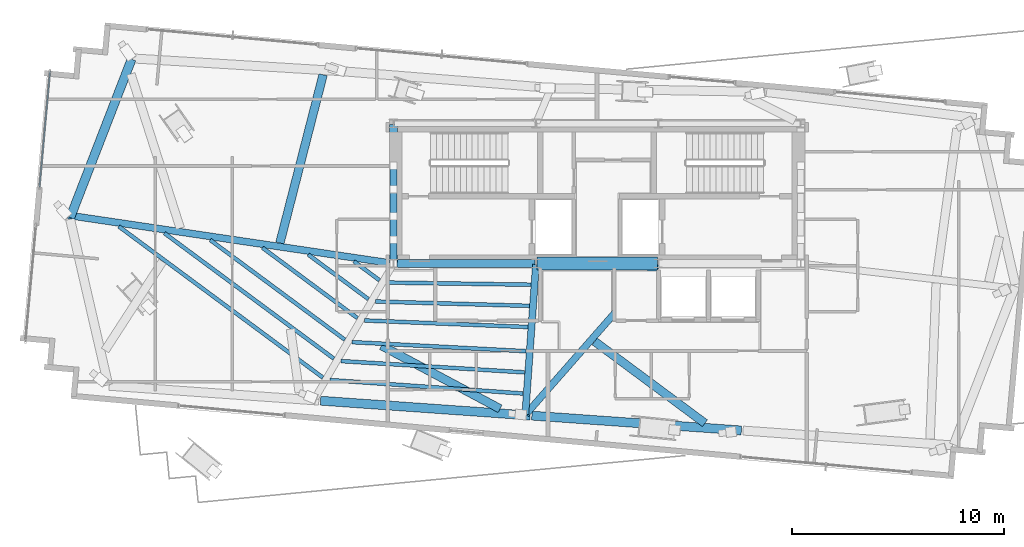
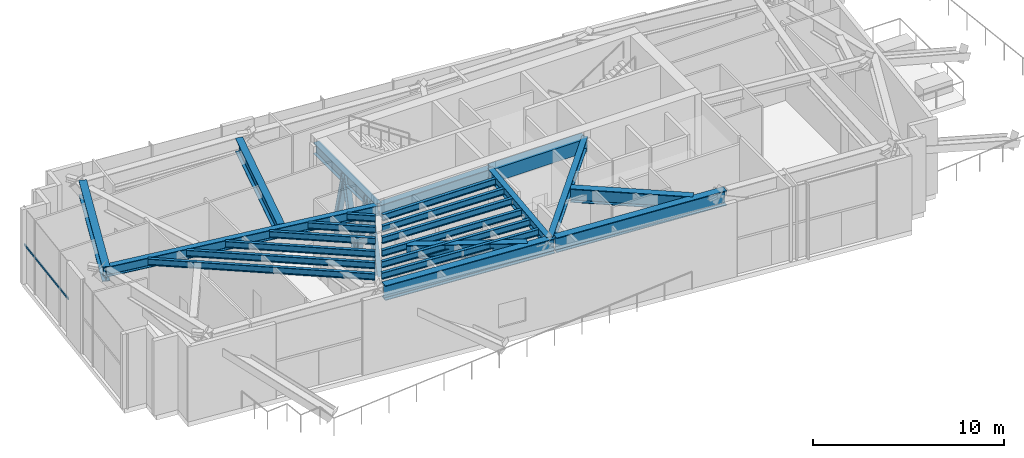
# One storey, part 5 of 20: 24 beams, 5 members, 1 element without a shape of its own.
"""IFC4 building model written with IfcOpenShell, lengths in metres."""

from ifc_helpers import new_model, si_unit, direction, frame, origin, origin_2d, place, context, subcontext, project, spatial, rectangle, hollow_rectangle, i_section, extrude, source, transform, mapped, material, material_profile, profile_set, type_object, type_shapes, element, aggregate, save


model = new_model("IFC4")

# Units and contexts
model_context = context("Model", 3, precision=1e-05, world=origin(), true_north=direction((0.0, 1.0)))
body_context = subcontext(model_context, "Body", "Model", "MODEL_VIEW")
ifc_project = project(units=[si_unit("LENGTHUNIT", "METRE"), si_unit("AREAUNIT", "SQUARE_METRE"), si_unit("VOLUMEUNIT", "CUBIC_METRE"), si_unit("PLANEANGLEUNIT", "RADIAN"), si_unit("MASSUNIT", "GRAM", prefix="KILO")], contexts=[model_context])

# Site, building, storey
site_placement = place(None, origin())
site = spatial("IfcSite", under=ifc_project, at=site_placement, CompositionType="ELEMENT")
building_placement = place(site_placement, origin())
building = spatial("IfcBuilding", under=site, at=building_placement, Name="Astriad Promenade Condominiums", CompositionType="ELEMENT")
storey_placement = place(building_placement, frame((0.0, 0.0, 211.39990234375)))
storey = spatial("IfcBuildingStorey", under=building, at=storey_placement, Name="L61", CompositionType="ELEMENT", Elevation=211.39990234375)

# Beams
ifc_material_1 = material(Name="Steel ASTM A992 Grade 50", Category="steel")
ifc_material_profile_1 = material_profile(ifc_material_1, i_section(OverallWidth=0.3837890625, OverallDepth=0.785888671875, WebThickness=0.019775390625, FlangeThickness=0.033447265625, FilletRadius=0.021484375, at=origin_2d()), Name="W30X211")
ifc_profile_set_1 = profile_set([ifc_material_profile_1], Name="Steel ASTM A992 Grade 50")
beam_type_1 = type_object("IfcBeamType", Name="STEEL FLOOR GIRDER W30X211", PredefinedType="BEAM", material=ifc_profile_set_1)
shared_shape_1 = source(origin(), body_context, "Body", "SweptSolid", [
    extrude(i_section(OverallWidth=0.3837890625, OverallDepth=0.785888671875, WebThickness=0.019775390625, FlangeThickness=0.033447265625, FilletRadius=0.021484375, at=origin_2d()), origin(), (0.0, 0.0, 1.0), 6.64013671875),
])
type_shapes(beam_type_1, [shared_shape_1])
beam_1_placement = place(storey_placement, frame((26.43994140625, 17.39990234375, 4.38720703125), z_axis=(1.0, 0.0, 0.0), x_axis=(0.0, 1.0, 0.0)))
element("IfcBeam", 1, at=beam_1_placement, inside=storey, type_object=beam_type_1, Name="Core Ring Beam CG-S1-L61", PredefinedType="BEAM", context=body_context, shape_type="MappedRepresentation", body=[
    mapped(shared_shape_1, transform((0.0, 0.0, 0.0), scale=1.0)),
])
ifc_material_profile_2 = material_profile(ifc_material_1, i_section(OverallWidth=0.35791015625, OverallDepth=0.706298828125, WebThickness=0.018310546875, FlangeThickness=0.0302734375, FilletRadius=0.020263671875, at=origin_2d()), Name="W27X178")
ifc_profile_set_2 = profile_set([ifc_material_profile_2], Name="Steel ASTM A992 Grade 50")
beam_type_2 = type_object("IfcBeamType", Name="STEEL FLOOR GIRDER W27X178", PredefinedType="BEAM", material=ifc_profile_set_2)
shared_shape_2 = source(origin(), body_context, "Body", "SweptSolid", [
    extrude(i_section(OverallWidth=0.35791015625, OverallDepth=0.706298828125, WebThickness=0.018310546875, FlangeThickness=0.0302734375, FilletRadius=0.020263671875, at=origin_2d()), origin(), (0.0, 0.0, 1.0), 6.52001953125),
])
type_shapes(beam_type_2, [shared_shape_2])
beam_2_placement = place(storey_placement, frame((26.39990234375, 17.43994140625, 4.427001953125), z_axis=(0.0, 1.0, 0.0), x_axis=(-1.0, 0.0, 0.0)))
element("IfcBeam", 2, at=beam_2_placement, inside=storey, type_object=beam_type_2, Name="Core Ring Beam CG-W1-L61", PredefinedType="BEAM", context=body_context, shape_type="MappedRepresentation", body=[
    mapped(shared_shape_2, transform((0.0, 0.0, 0.0), scale=1.0)),
])
ifc_material_2 = material(Name="Concrete C60/75", Category="concrete")
ifc_material_profile_3 = material_profile(ifc_material_2, rectangle(XDim=0.60009765625, YDim=0.85009765625, at=origin_2d()), Name="RC-BM-600X850")
ifc_profile_set_3 = profile_set([ifc_material_profile_3], Name="Concrete C60/75")
beam_type_3 = type_object("IfcBeamType", Name="CONCRETE CORE COUPLING LINTEL 600X850", PredefinedType="LINTEL", material=ifc_profile_set_3)
shared_shape_3 = source(origin(), body_context, "Body", "SweptSolid", [
    extrude(rectangle(XDim=0.60009765625, YDim=0.85009765625, at=origin_2d()), origin(), (0.0, 0.0, 1.0), 5.68017578125),
])
type_shapes(beam_type_3, [shared_shape_3])
beam_3_placement = place(storey_placement, frame((33.159912109375, 17.39990234375, 4.35498046875), z_axis=(1.0, 0.0, 0.0), x_axis=(0.0, 1.0, 0.0)))
element("IfcBeam", 3, at=beam_3_placement, inside=storey, type_object=beam_type_3, Name="Core Ring Beam CG-S2-L61", PredefinedType="LINTEL", context=body_context, shape_type="MappedRepresentation", body=[
    mapped(shared_shape_3, transform((0.0, 0.0, 0.0), scale=1.0)),
])
ifc_material_profile_4 = material_profile(ifc_material_1, i_section(OverallWidth=0.423095703125, OverallDepth=0.9482421875, WebThickness=0.02392578125, FlangeThickness=0.042724609375, FilletRadius=0.024169921875, at=origin_2d()), Name="W36X302")
ifc_profile_set_4 = profile_set([ifc_material_profile_4], Name="Steel ASTM A992 Grade 50")
beam_type_4 = type_object("IfcBeamType", Name="STEEL PERIMETER RING GIRDER W36X302", PredefinedType="BEAM", material=ifc_profile_set_4)
shared_shape_4 = source(origin(), body_context, "Body", "SweptSolid", [
    extrude(i_section(OverallWidth=0.423095703125, OverallDepth=0.9482421875, WebThickness=0.02392578125, FlangeThickness=0.042724609375, FilletRadius=0.024169921875, at=origin_2d()), origin(), (0.0, 0.0, 1.0), 9.9072265625),
])
for number, where, z_axis, x_axis, name in (
    (4, (22.958251953125, 10.934326171875, 4.305908203125), (0.997511585316, -0.070502745759, 0.0), (0.070502745759, 0.997511585316, 0.0), "Perimeter Spandrel Beam SP-S2-L61"),
    (5, (32.920654296875, 10.230224609375, 4.305908203125), (0.997509851964, -0.070527265899, 0.0), (0.070527265899, 0.997509851964, 0.0), "Perimeter Spandrel Beam SP-S3-L61"),
):
    element("IfcBeam", number, at=place(storey_placement, frame(where, z_axis=z_axis, x_axis=x_axis)), inside=storey, type_object=beam_type_4, Name=name, PredefinedType="BEAM", context=body_context, shape_type="MappedRepresentation", body=[
        mapped(shared_shape_4, transform((0.0, 0.0, 0.0), scale=1.0)),
    ])
shared_shape_5 = source(origin(), body_context, "Body", "SweptSolid", [
    extrude(i_section(OverallWidth=0.423095703125, OverallDepth=0.9482421875, WebThickness=0.02392578125, FlangeThickness=0.042724609375, FilletRadius=0.024169921875, at=origin_2d()), origin(), (0.0, 0.0, 1.0), 8.0126953125),
])
type_shapes(beam_type_4, [shared_shape_4, shared_shape_5])
beam_4_placement = place(storey_placement, frame((14.04931640625, 27.0390625, 4.305908203125), z_axis=(-0.361303517183, -0.932448265842, 0.0), x_axis=(0.932448265842, -0.361303517183, 0.0)))
element("IfcBeam", 6, at=beam_4_placement, inside=storey, type_object=beam_type_4, Name="Perimeter Spandrel Beam SP-W2-L61", PredefinedType="BEAM", context=body_context, shape_type="MappedRepresentation", body=[
    mapped(shared_shape_5, transform((0.0, 0.0, 0.0), scale=1.0)),
])
ifc_material_profile_5 = material_profile(ifc_material_1, i_section(OverallWidth=0.327392578125, OverallDepth=0.640625, WebThickness=0.01904296875, FlangeThickness=0.033935546875, FilletRadius=0.017822265625, at=origin_2d()), Name="W24X176")
ifc_profile_set_5 = profile_set([ifc_material_profile_5], Name="Steel ASTM A992 Grade 50")
beam_type_5 = type_object("IfcBeamType", Name="STEEL FLOOR GIRDER W24X176", PredefinedType="BEAM", material=ifc_profile_set_5)
shared_shape_6 = source(origin(), body_context, "Body", "SweptSolid", [
    extrude(i_section(OverallWidth=0.327392578125, OverallDepth=0.640625, WebThickness=0.01904296875, FlangeThickness=0.033935546875, FilletRadius=0.017822265625, at=origin_2d()), origin(), (0.0, 0.0, 1.0), 15.488037109375),
])
type_shapes(beam_type_5, [shared_shape_6])
beam_5_placement = place(storey_placement, frame((11.040283203125, 19.68017578125, 4.459716796875), z_axis=(0.989161018806, -0.146834869407, 0.0), x_axis=(0.146834869407, 0.989161018806, 0.0)))
element("IfcBeam", 7, at=beam_5_placement, inside=storey, type_object=beam_type_5, Name="Primary Floor Girder PG-WM-L61", PredefinedType="BEAM", context=body_context, shape_type="MappedRepresentation", body=[
    mapped(shared_shape_6, transform((0.0, 0.0, 0.0), scale=1.0)),
])
ifc_material_profile_6 = material_profile(ifc_material_1, i_section(OverallWidth=0.326416015625, OverallDepth=0.621826171875, WebThickness=0.015380859375, FlangeThickness=0.0244140625, FilletRadius=0.017822265625, at=origin_2d()), Name="W24X131")
ifc_profile_set_6 = profile_set([ifc_material_profile_6], Name="Steel ASTM A992 Grade 50")
beam_type_6 = type_object("IfcBeamType", Name="STEEL FLOOR GIRDER W24X131", PredefinedType="BEAM", material=ifc_profile_set_6)
shared_shape_7 = source(origin(), body_context, "Body", "SweptSolid", [
    extrude(i_section(OverallWidth=0.326416015625, OverallDepth=0.621826171875, WebThickness=0.015380859375, FlangeThickness=0.0244140625, FilletRadius=0.017822265625, at=origin_2d()), origin(), (0.0, 0.0, 1.0), 7.077880859375),
])
beam_6_placement = place(storey_placement, frame((32.614990234375, 10.300048828125, 4.46923828125), z_axis=(0.070952890116, 0.997479667655, 0.0), x_axis=(-0.997479667655, 0.070952890116, 0.0)))
element("IfcBeam", 8, at=beam_6_placement, inside=storey, type_object=beam_type_6, Name="Primary Floor Girder PG-C1-L61", PredefinedType="BEAM", context=body_context, shape_type="MappedRepresentation", body=[
    mapped(shared_shape_7, transform((0.0, 0.0, 0.0), scale=1.0)),
])
shared_shape_8 = source(origin(), body_context, "Body", "SweptSolid", [
    extrude(i_section(OverallWidth=0.326416015625, OverallDepth=0.621826171875, WebThickness=0.015380859375, FlangeThickness=0.0244140625, FilletRadius=0.017822265625, at=origin_2d()), origin(), (0.0, 0.0, 1.0), 9.420654296875),
])
type_shapes(beam_type_6, [shared_shape_7, shared_shape_8])
beam_7_placement = place(storey_placement, frame((32.638427734375, 10.290283203125, 4.46923828125), z_axis=(0.659732999545, 0.751500079382, 0.0), x_axis=(-0.751500079382, 0.659732999545, 0.0)))
element("IfcBeam", 9, at=beam_7_placement, inside=storey, type_object=beam_type_6, Name="Primary Floor Girder PG-C2-L61", PredefinedType="BEAM", context=body_context, shape_type="MappedRepresentation", body=[
    mapped(shared_shape_8, transform((0.0, 0.0, 0.0), scale=1.0)),
])
ifc_material_profile_7 = material_profile(ifc_material_1, i_section(OverallWidth=0.180908203125, OverallDepth=0.417236328125, WebThickness=0.010986328125, FlangeThickness=0.018310546875, FilletRadius=0.013916015625, at=origin_2d()), Name="W16X57")
ifc_profile_set_7 = profile_set([ifc_material_profile_7], Name="Steel ASTM A992 Grade 50")
beam_type_7 = type_object("IfcBeamType", Name="STEEL FLOOR JOIST W16X57", PredefinedType="JOIST", material=ifc_profile_set_7)
shared_shape_9 = source(origin(), body_context, "Body", "SweptSolid", [
    extrude(i_section(OverallWidth=0.180908203125, OverallDepth=0.417236328125, WebThickness=0.010986328125, FlangeThickness=0.018310546875, FilletRadius=0.013916015625, at=origin_2d()), origin(), (0.0, 0.0, 1.0), 11.97314453125),
])
beam_8_placement = place(storey_placement, frame((13.444091796875, 19.153076171875, 4.571533203125), z_axis=(0.80354852414, -0.595239253874, 0.0), x_axis=(0.595239253874, 0.80354852414, 0.0)))
element("IfcBeam", 10, at=beam_8_placement, inside=storey, type_object=beam_type_7, Name="Secondary Composite Floor Joist JW1-1-L61", PredefinedType="JOIST", context=body_context, shape_type="MappedRepresentation", body=[
    mapped(shared_shape_9, transform((0.0, 0.0, 0.0), scale=1.0)),
])
shared_shape_10 = source(origin(), body_context, "Body", "SweptSolid", [
    extrude(i_section(OverallWidth=0.180908203125, OverallDepth=0.417236328125, WebThickness=0.010986328125, FlangeThickness=0.018310546875, FilletRadius=0.013916015625, at=origin_2d()), origin(), (0.0, 0.0, 1.0), 9.9375),
])
beam_9_placement = place(storey_placement, frame((15.60009765625, 18.8330078125, 4.571533203125), z_axis=(0.803538478782, -0.595252814456, 0.0), x_axis=(0.595252814456, 0.803538478782, 0.0)))
element("IfcBeam", 11, at=beam_9_placement, inside=storey, type_object=beam_type_7, Name="Secondary Composite Floor Joist JW1-2-L61", PredefinedType="JOIST", context=body_context, shape_type="MappedRepresentation", body=[
    mapped(shared_shape_10, transform((0.0, 0.0, 0.0), scale=1.0)),
])
shared_shape_11 = source(origin(), body_context, "Body", "SweptSolid", [
    extrude(i_section(OverallWidth=0.180908203125, OverallDepth=0.417236328125, WebThickness=0.010986328125, FlangeThickness=0.018310546875, FilletRadius=0.013916015625, at=origin_2d()), origin(), (0.0, 0.0, 1.0), 7.90185546875),
])
beam_10_placement = place(storey_placement, frame((17.755859375, 18.512939453125, 4.571533203125), z_axis=(0.803559929974, -0.595223856158, 0.0), x_axis=(0.595223856158, 0.803559929974, 0.0)))
element("IfcBeam", 12, at=beam_10_placement, inside=storey, type_object=beam_type_7, Name="Secondary Composite Floor Joist JW1-3-L61", PredefinedType="JOIST", context=body_context, shape_type="MappedRepresentation", body=[
    mapped(shared_shape_11, transform((0.0, 0.0, 0.0), scale=1.0)),
])
shared_shape_12 = source(origin(), body_context, "Body", "SweptSolid", [
    extrude(i_section(OverallWidth=0.180908203125, OverallDepth=0.417236328125, WebThickness=0.010986328125, FlangeThickness=0.018310546875, FilletRadius=0.013916015625, at=origin_2d()), origin(), (0.0, 0.0, 1.0), 5.5751953125),
])
beam_11_placement = place(storey_placement, frame((20.2197265625, 18.147216796875, 4.571533203125), z_axis=(0.803548660201, -0.595239070197, 0.0), x_axis=(0.595239070197, 0.803548660201, 0.0)))
element("IfcBeam", 13, at=beam_11_placement, inside=storey, type_object=beam_type_7, Name="Secondary Composite Floor Joist JW1-4-L61", PredefinedType="JOIST", context=body_context, shape_type="MappedRepresentation", body=[
    mapped(shared_shape_12, transform((0.0, 0.0, 0.0), scale=1.0)),
])
shared_shape_13 = source(origin(), body_context, "Body", "SweptSolid", [
    extrude(i_section(OverallWidth=0.180908203125, OverallDepth=0.417236328125, WebThickness=0.010986328125, FlangeThickness=0.018310546875, FilletRadius=0.013916015625, at=origin_2d()), origin(), (0.0, 0.0, 1.0), 3.53955078125),
])
beam_12_placement = place(storey_placement, frame((22.375732421875, 17.8271484375, 4.571533203125), z_axis=(0.803544974607, -0.595244045567, 0.0), x_axis=(0.595244045567, 0.803544974607, 0.0)))
element("IfcBeam", 14, at=beam_12_placement, inside=storey, type_object=beam_type_7, Name="Secondary Composite Floor Joist JW1-5-L61", PredefinedType="JOIST", context=body_context, shape_type="MappedRepresentation", body=[
    mapped(shared_shape_13, transform((0.0, 0.0, 0.0), scale=1.0)),
])
shared_shape_14 = source(origin(), body_context, "Body", "SweptSolid", [
    extrude(i_section(OverallWidth=0.180908203125, OverallDepth=0.417236328125, WebThickness=0.010986328125, FlangeThickness=0.018310546875, FilletRadius=0.013916015625, at=origin_2d()), origin(), (0.0, 0.0, 1.0), 1.50390625),
])
beam_13_placement = place(storey_placement, frame((24.531494140625, 17.507080078125, 4.571533203125), z_axis=(0.803608956725, -0.595157663708, 0.0), x_axis=(0.595157663708, 0.803608956725, 0.0)))
element("IfcBeam", 15, at=beam_13_placement, inside=storey, type_object=beam_type_7, Name="Secondary Composite Floor Joist JW1-6-L61", PredefinedType="JOIST", context=body_context, shape_type="MappedRepresentation", body=[
    mapped(shared_shape_14, transform((0.0, 0.0, 0.0), scale=1.0)),
])
shared_shape_15 = source(origin(), body_context, "Body", "SweptSolid", [
    extrude(i_section(OverallWidth=0.180908203125, OverallDepth=0.417236328125, WebThickness=0.010986328125, FlangeThickness=0.018310546875, FilletRadius=0.013916015625, at=origin_2d()), origin(), (0.0, 0.0, 1.0), 9.1357421875),
])
beam_14_placement = place(storey_placement, frame((23.396728515625, 11.908935546875, 4.571533203125), z_axis=(0.997564604321, -0.069748549848, 0.0), x_axis=(0.069748549848, 0.997564604321, 0.0)))
element("IfcBeam", 16, at=beam_14_placement, inside=storey, type_object=beam_type_7, Name="Secondary Composite Floor Joist JCW-1-L61", PredefinedType="JOIST", context=body_context, shape_type="MappedRepresentation", body=[
    mapped(shared_shape_15, transform((0.0, 0.0, 0.0), scale=1.0)),
])
shared_shape_16 = source(origin(), body_context, "Body", "SweptSolid", [
    extrude(i_section(OverallWidth=0.180908203125, OverallDepth=0.417236328125, WebThickness=0.010986328125, FlangeThickness=0.018310546875, FilletRadius=0.013916015625, at=origin_2d()), origin(), (0.0, 0.0, 1.0), 8.679931640625),
])
beam_15_placement = place(storey_placement, frame((23.917724609375, 12.80224609375, 4.571533203125), z_axis=(0.998118337394, -0.061317082103, 0.0), x_axis=(0.061317082103, 0.998118337394, 0.0)))
element("IfcBeam", 17, at=beam_15_placement, inside=storey, type_object=beam_type_7, Name="Secondary Composite Floor Joist JCW-2-L61", PredefinedType="JOIST", context=body_context, shape_type="MappedRepresentation", body=[
    mapped(shared_shape_16, transform((0.0, 0.0, 0.0), scale=1.0)),
])
shared_shape_17 = source(origin(), body_context, "Body", "SweptSolid", [
    extrude(i_section(OverallWidth=0.180908203125, OverallDepth=0.417236328125, WebThickness=0.010986328125, FlangeThickness=0.018310546875, FilletRadius=0.013916015625, at=origin_2d()), origin(), (0.0, 0.0, 1.0), 8.224853515625),
])
beam_16_placement = place(storey_placement, frame((24.438720703125, 13.69580078125, 4.571533203125), z_axis=(0.998645243752, -0.052035345014, 0.0), x_axis=(0.052035345014, 0.998645243752, 0.0)))
element("IfcBeam", 18, at=beam_16_placement, inside=storey, type_object=beam_type_7, Name="Secondary Composite Floor Joist JCW-3-L61", PredefinedType="JOIST", context=body_context, shape_type="MappedRepresentation", body=[
    mapped(shared_shape_17, transform((0.0, 0.0, 0.0), scale=1.0)),
])
shared_shape_18 = source(origin(), body_context, "Body", "SweptSolid", [
    extrude(i_section(OverallWidth=0.180908203125, OverallDepth=0.417236328125, WebThickness=0.010986328125, FlangeThickness=0.018310546875, FilletRadius=0.013916015625, at=origin_2d()), origin(), (0.0, 0.0, 1.0), 7.705078125),
])
beam_17_placement = place(storey_placement, frame((25.034423828125, 14.717041015625, 4.571533203125), z_axis=(0.999196396835, -0.040081923006, 0.0), x_axis=(0.040081923006, 0.999196396835, 0.0)))
element("IfcBeam", 19, at=beam_17_placement, inside=storey, type_object=beam_type_7, Name="Secondary Composite Floor Joist JCW-4-L61", PredefinedType="JOIST", context=body_context, shape_type="MappedRepresentation", body=[
    mapped(shared_shape_18, transform((0.0, 0.0, 0.0), scale=1.0)),
])
shared_shape_19 = source(origin(), body_context, "Body", "SweptSolid", [
    extrude(i_section(OverallWidth=0.180908203125, OverallDepth=0.417236328125, WebThickness=0.010986328125, FlangeThickness=0.018310546875, FilletRadius=0.013916015625, at=origin_2d()), origin(), (0.0, 0.0, 1.0), 7.251708984375),
])
beam_18_placement = place(storey_placement, frame((25.5556640625, 15.611083984375, 4.571533203125), z_axis=(0.999599086101, -0.028313725756, 0.0), x_axis=(0.028313725756, 0.999599086101, 0.0)))
element("IfcBeam", 20, at=beam_18_placement, inside=storey, type_object=beam_type_7, Name="Secondary Composite Floor Joist JCW-5-L61", PredefinedType="JOIST", context=body_context, shape_type="MappedRepresentation", body=[
    mapped(shared_shape_19, transform((0.0, 0.0, 0.0), scale=1.0)),
])
shared_shape_20 = source(origin(), body_context, "Body", "SweptSolid", [
    extrude(i_section(OverallWidth=0.180908203125, OverallDepth=0.417236328125, WebThickness=0.010986328125, FlangeThickness=0.018310546875, FilletRadius=0.013916015625, at=origin_2d()), origin(), (0.0, 0.0, 1.0), 6.798828125),
])
type_shapes(beam_type_7, [shared_shape_9, shared_shape_10, shared_shape_11, shared_shape_12, shared_shape_13, shared_shape_14, shared_shape_15, shared_shape_16, shared_shape_17, shared_shape_18, shared_shape_19, shared_shape_20])
beam_19_placement = place(storey_placement, frame((26.077392578125, 16.50537109375, 4.571533203125), z_axis=(0.999886804318, -0.015045881523, 0.0), x_axis=(0.015045881523, 0.999886804318, 0.0)))
element("IfcBeam", 21, at=beam_19_placement, inside=storey, type_object=beam_type_7, Name="Secondary Composite Floor Joist JCW-6-L61", PredefinedType="JOIST", context=body_context, shape_type="MappedRepresentation", body=[
    mapped(shared_shape_20, transform((0.0, 0.0, 0.0), scale=1.0)),
])
ifc_material_profile_8 = material_profile(ifc_material_1, i_section(OverallWidth=0.4013671875, OverallDepth=0.877197265625, WebThickness=0.022216796875, FlangeThickness=0.039794921875, FilletRadius=0.02294921875, at=origin_2d()), Name="W33X263")
ifc_profile_set_8 = profile_set([ifc_material_profile_8], Name="Steel ASTM A992 Grade 50")
beam_type_8 = type_object("IfcBeamType", Name="STEEL TRANSFER CARRIER GIRDER W33X263", PredefinedType="BEAM", material=ifc_profile_set_8)
shared_shape_21 = source(origin(), body_context, "Body", "SweptSolid", [
    extrude(i_section(OverallWidth=0.4013671875, OverallDepth=0.877197265625, WebThickness=0.022216796875, FlangeThickness=0.039794921875, FilletRadius=0.02294921875, at=origin_2d()), origin(), (0.0, 0.0, 1.0), 6.33349609375),
])
beam_20_placement = place(storey_placement, frame((25.833251953125, 13.5283203125, 4.341552734375), z_axis=(0.882701627818, -0.469933863694, 0.0), x_axis=(0.469933863694, 0.882701627818, 0.0)))
element("IfcBeam", 22, at=beam_20_placement, inside=storey, type_object=beam_type_8, Name="Transfer Splice Carrier TRM-SP-PC03-L61", PredefinedType="BEAM", context=body_context, shape_type="MappedRepresentation", body=[
    mapped(shared_shape_21, transform((0.0, 0.0, 0.0), scale=1.0)),
])
shared_shape_22 = source(origin(), body_context, "Body", "SweptSolid", [
    extrude(i_section(OverallWidth=0.4013671875, OverallDepth=0.877197265625, WebThickness=0.022216796875, FlangeThickness=0.039794921875, FilletRadius=0.02294921875, at=origin_2d()), origin(), (0.0, 0.0, 1.0), 6.47216796875),
])
beam_21_placement = place(storey_placement, frame((35.885498046875, 13.7265625, 4.341552734375), z_axis=(0.803144026709, -0.595784921227, 0.0), x_axis=(0.595784921227, 0.803144026709, 0.0)))
element("IfcBeam", 23, at=beam_21_placement, inside=storey, type_object=beam_type_8, Name="Transfer Splice Carrier TRM-SP-PC04-L61", PredefinedType="BEAM", context=body_context, shape_type="MappedRepresentation", body=[
    mapped(shared_shape_22, transform((0.0, 0.0, 0.0), scale=1.0)),
])
shared_shape_23 = source(origin(), body_context, "Body", "SweptSolid", [
    extrude(i_section(OverallWidth=0.4013671875, OverallDepth=0.877197265625, WebThickness=0.022216796875, FlangeThickness=0.039794921875, FilletRadius=0.02294921875, at=origin_2d()), origin(), (0.0, 0.0, 1.0), 8.1884765625),
])
type_shapes(beam_type_8, [shared_shape_21, shared_shape_22, shared_shape_23])
beam_22_placement = place(storey_placement, frame((21.041748046875, 18.37109375, 4.341552734375), z_axis=(0.248865250878, 0.968538118458, 0.0), x_axis=(-0.968538118458, 0.248865250878, 0.0)))
element("IfcBeam", 24, at=beam_22_placement, inside=storey, type_object=beam_type_8, Name="Transfer Splice Carrier TRM-SP-PC07-L61", PredefinedType="BEAM", context=body_context, shape_type="MappedRepresentation", body=[
    mapped(shared_shape_23, transform((0.0, 0.0, 0.0), scale=1.0)),
])

# Members
ifc_material_profile_9 = material_profile(ifc_material_1, i_section(OverallWidth=0.308837890625, OverallDepth=0.32275390625, WebThickness=0.013916015625, FlangeThickness=0.02294921875, FilletRadius=0.01513671875, at=origin_2d()), Name="W12X96")
ifc_profile_set_9 = profile_set([ifc_material_profile_9], Name="Steel ASTM A992 Grade 50")
member_type_1 = type_object("IfcMemberType", Name="STEEL TRANSFER WEB BRACE W12X96", PredefinedType="BRACE", material=ifc_profile_set_9)
shared_shape_24 = source(origin(), body_context, "Body", "SweptSolid", [
    extrude(i_section(OverallWidth=0.308837890625, OverallDepth=0.32275390625, WebThickness=0.013916015625, FlangeThickness=0.02294921875, FilletRadius=0.01513671875, at=origin_2d()), origin(), (0.0, 0.0, 1.0), 4.549072265625),
])
type_shapes(member_type_1, [shared_shape_24])
for number, where, z_axis, x_axis, name in (
    (25, (26.39990234375, 17.406005859375, 0.164306640625), (0.0, 0.243974924355, 0.969781540496), (-1.0, 0.0, 0.0), "Core Coupling Warren Brace L61-01A"),
    (26, (26.39990234375, 19.637939453125, 0.164306640625), (0.0, -0.243974924355, 0.969781540496), (1.0, 0.0, 0.0), "Core Coupling Warren Brace L61-01B"),
    (27, (26.39990234375, 19.781982421875, 0.164306640625), (0.0, 0.243974924355, 0.969781540496), (-1.0, 0.0, 0.0), "Core Coupling Warren Brace L61-02A"),
    (28, (26.39990234375, 22.013916015625, 0.164306640625), (0.0, -0.243974924355, 0.969781540496), (1.0, 0.0, 0.0), "Core Coupling Warren Brace L61-02B"),
):
    element("IfcMember", number, at=place(storey_placement, frame(where, z_axis=z_axis, x_axis=x_axis)), inside=storey, type_object=member_type_1, Name=name, PredefinedType="BRACE", context=body_context, shape_type="MappedRepresentation", body=[
        mapped(shared_shape_24, transform((0.0, 0.0, 0.0), scale=1.0)),
    ])

# Curtain wall, member
ifc_material_3 = material(Name="Anodised aluminium Black Dark Glass Unitised", Category="aluminium")
curtain_wall_type = type_object("IfcCurtainWallType", Name="CW-B5-DARK", PredefinedType="USERDEFINED", material=ifc_material_3)
curtain_wall_placement = place(storey_placement, origin())
curtain_wall = element("IfcCurtainWall", 29, at=curtain_wall_placement, inside=storey, type_object=curtain_wall_type, Name="CW-L61-W-2", ObjectType="UNITISED_CURTAIN_WALL", PredefinedType="USERDEFINED")
ifc_material_4 = material(Name="Anodised aluminium 6063-T6 Black", Category="aluminium")
ifc_material_profile_10 = material_profile(ifc_material_4, hollow_rectangle(XDim=0.06494140625, YDim=0.1298828125, WallThickness=0.00390625, at=origin_2d()), Name="ALU-TRN-65X130")
ifc_profile_set_10 = profile_set([ifc_material_profile_10], Name="Anodised aluminium 6063-T6 Black")
member_type_2 = type_object("IfcMemberType", Name="TRN-ALU-TRN-65X130", PredefinedType="USERDEFINED", material=ifc_profile_set_10)
shared_shape_25 = source(origin(), body_context, "Body", "SweptSolid", [
    extrude(hollow_rectangle(XDim=0.06494140625, YDim=0.1298828125, WallThickness=0.00390625, at=origin_2d()), origin(), (0.0, 0.0, 1.0), 5.5),
])
type_shapes(member_type_2, [shared_shape_25])
member_placement = place(storey_placement, frame((9.70751953125, 21.00537109375, 2.35009765625), z_axis=(0.090599783742, 0.995887382783, 0.0), x_axis=(-0.995887382783, 0.090599783742, 0.0)))
member = element("IfcMember", 30, at=member_placement, type_object=member_type_2, Name="CW-L61-W-2-TRN-00-0", ObjectType="TRANSOM", PredefinedType="USERDEFINED", context=body_context, shape_type="MappedRepresentation", body=[
    mapped(shared_shape_25, transform((0.0, 0.0, 0.0), scale=1.0)),
])
aggregate(curtain_wall, [member])

save(model, "model.ifc")
